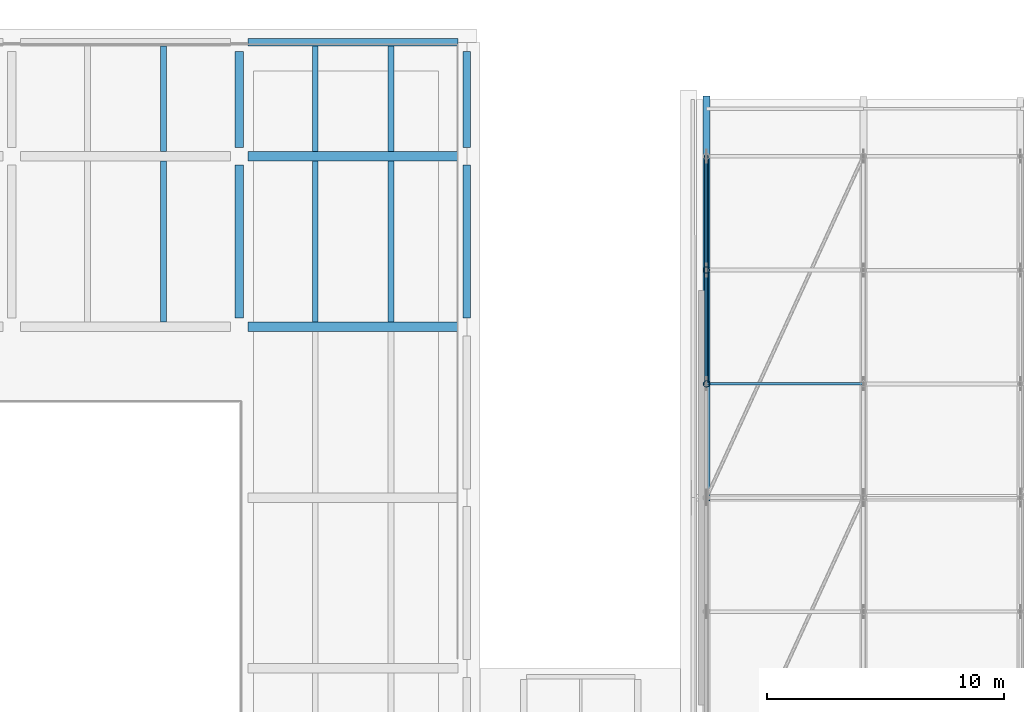
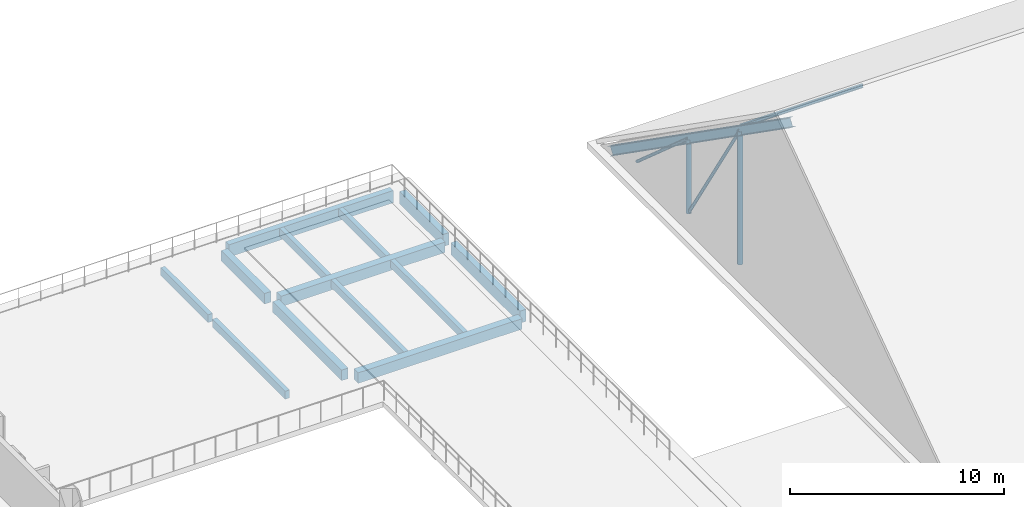
# One storey, part 61 of 134: 13 beams, 6 members.
"""IFC4 building model written with IfcOpenShell, lengths in metres."""

from ifc_helpers import new_model, si_unit, direction, frame, origin, origin_2d, place, context, subcontext, project, spatial, rectangle, hollow_circle, i_section, extrude, material, material_profile, profile_set, type_object, element, save


model = new_model("IFC4")

# Units and contexts
model_context = context("Model", 3, precision=1e-05, world=origin(), true_north=direction((0.0, 1.0)))
body_context = subcontext(model_context, "Body", "Model", "MODEL_VIEW")
ifc_project = project(units=[si_unit("LENGTHUNIT", "METRE"), si_unit("AREAUNIT", "SQUARE_METRE"), si_unit("VOLUMEUNIT", "CUBIC_METRE"), si_unit("PLANEANGLEUNIT", "RADIAN"), si_unit("MASSUNIT", "GRAM", prefix="KILO")], contexts=[model_context])

# Site, building, storey
site_placement = place(None, origin())
site = spatial("IfcSite", under=ifc_project, at=site_placement, CompositionType="ELEMENT")
building_placement = place(site_placement, origin())
building = spatial("IfcBuilding", under=site, at=building_placement, Name="Asteropetra Specialist Clinic", CompositionType="ELEMENT")
storey_placement = place(building_placement, frame((0.0, 0.0, 8.5)))
storey = spatial("IfcBuildingStorey", under=building, at=storey_placement, Name="L02", CompositionType="ELEMENT", Elevation=8.5)

# Beams
ifc_material_1 = material(Name="Concrete C35/45", Category="concrete")
ifc_material_profile_1 = material_profile(ifc_material_1, rectangle(XDim=0.35009765625, YDim=0.60009765625, at=origin_2d()), Name="RCB 350x600")
ifc_profile_set_1 = profile_set([ifc_material_profile_1], Name="Concrete C35/45")
beam_type_1 = type_object("IfcBeamType", Name="BM-RC350x600", PredefinedType="BEAM", material=ifc_profile_set_1)
beam_1_placement = place(storey_placement, frame((67.199951171875, 98.77490234375, -0.610107421875), z_axis=(0.0, 1.0, 0.0), x_axis=(-1.0, 0.0, 0.0)))
element("IfcBeam", 1, at=beam_1_placement, inside=storey, type_object=beam_type_1, Name="Beam BBM09-0967", PredefinedType="BEAM", context=body_context, shape_type="SweptSolid", body=[
    extrude(rectangle(XDim=0.35009765625, YDim=0.60009765625, at=origin_2d()), origin(), (0.0, 0.0, 1.0), 6.4501953125),
])
beam_2_placement = place(storey_placement, frame((67.199951171875, 105.97509765625, -0.610107421875), z_axis=(0.0, 1.0, 0.0), x_axis=(-1.0, 0.0, 0.0)))
element("IfcBeam", 2, at=beam_2_placement, inside=storey, type_object=beam_type_1, Name="Beam BBM09-0977", PredefinedType="BEAM", context=body_context, shape_type="SweptSolid", body=[
    extrude(rectangle(XDim=0.35009765625, YDim=0.60009765625, at=origin_2d()), origin(), (0.0, 0.0, 1.0), 4.0498046875),
])
ifc_material_2 = material(Name="Concrete C35/45", Category="concrete")
ifc_material_profile_2 = material_profile(ifc_material_2, rectangle(XDim=0.39990234375, YDim=0.60009765625, at=origin_2d()), Name="RCB 400x600")
ifc_profile_set_2 = profile_set([ifc_material_profile_2], Name="Concrete C35/45")
beam_type_2 = type_object("IfcBeamType", Name="BM-RC400x600", PredefinedType="BEAM", material=ifc_profile_set_2)
for number, where, z_axis, x_axis, name in (
    (3, (67.574951171875, 98.39990234375, -0.610107421875), (1.0, 0.0, 0.0), (0.0, 1.0, 0.0), "Beam BBM08-0943"),
    (4, (67.574951171875, 105.60009765625, -0.610107421875), (1.0, 0.0, 0.0), (0.0, 1.0, 0.0), "Beam BBM08-0946"),
):
    element("IfcBeam", number, at=place(storey_placement, frame(where, z_axis=z_axis, x_axis=x_axis)), inside=storey, type_object=beam_type_2, Name=name, PredefinedType="BEAM", context=body_context, shape_type="SweptSolid", body=[
        extrude(rectangle(XDim=0.39990234375, YDim=0.60009765625, at=origin_2d()), origin(), (0.0, 0.0, 1.0), 8.85009765625),
    ])
ifc_material_3 = material(Name="Concrete C35/45", Category="concrete")
ifc_material_profile_3 = material_profile(ifc_material_3, rectangle(XDim=0.239990234375, YDim=0.449951171875, at=origin_2d()), Name="RCJ 240x450")
ifc_profile_set_3 = profile_set([ifc_material_profile_3], Name="Concrete C35/45")
beam_type_3 = type_object("IfcBeamType", Name="JST-RC240x450", PredefinedType="JOIST", material=ifc_profile_set_3)
for number, where, z_axis, x_axis, name in (
    (5, (64.0, 98.60009765625, -0.534912109375), (0.0, 1.0, 0.0), (-1.0, 0.0, 0.0), "Joist JJST03-0972"),
    (6, (70.39990234375, 98.60009765625, -0.534912109375), (0.0, 1.0, 0.0), (-1.0, 0.0, 0.0), "Joist JJST03-0973"),
    (7, (73.60009765625, 98.60009765625, -0.534912109375), (0.0, 1.0, 0.0), (-1.0, 0.0, 0.0), "Joist JJST03-0974"),
):
    element("IfcBeam", number, at=place(storey_placement, frame(where, z_axis=z_axis, x_axis=x_axis)), inside=storey, type_object=beam_type_3, Name=name, PredefinedType="JOIST", context=body_context, shape_type="SweptSolid", body=[
        extrude(rectangle(XDim=0.239990234375, YDim=0.449951171875, at=origin_2d()), origin(), (0.0, 0.0, 1.0), 6.7998046875),
    ])
for number, where, z_axis, x_axis, name in (
    (8, (64.0, 105.800048828125, -0.534912109375), (0.0, 1.0, 0.0), (-1.0, 0.0, 0.0), "Joist JJST03-0982"),
    (9, (70.39990234375, 105.800048828125, -0.534912109375), (0.0, 1.0, 0.0), (-1.0, 0.0, 0.0), "Joist JJST03-0983"),
    (10, (73.60009765625, 105.800048828125, -0.534912109375), (0.0, 1.0, 0.0), (-1.0, 0.0, 0.0), "Joist JJST03-0984"),
):
    element("IfcBeam", number, at=place(storey_placement, frame(where, z_axis=z_axis, x_axis=x_axis)), inside=storey, type_object=beam_type_3, Name=name, PredefinedType="JOIST", context=body_context, shape_type="SweptSolid", body=[
        extrude(rectangle(XDim=0.239990234375, YDim=0.449951171875, at=origin_2d()), origin(), (0.0, 0.0, 1.0), 4.43994140625),
    ])
ifc_material_4 = material(Name="Concrete C35/45", Category="concrete")
ifc_material_profile_4 = material_profile(ifc_material_4, rectangle(XDim=0.320068359375, YDim=0.699951171875, at=origin_2d()), Name="RCS 320x700")
ifc_profile_set_4 = profile_set([ifc_material_profile_4], Name="Concrete C35/45")
beam_type_4 = type_object("IfcBeamType", Name="SPN-RC320x700", PredefinedType="SPANDREL", material=ifc_profile_set_4)
beam_3_placement = place(storey_placement, frame((67.574951171875, 110.39990234375, -0.659912109375), z_axis=(1.0, 0.0, 0.0), x_axis=(0.0, 1.0, 0.0)))
element("IfcBeam", 11, at=beam_3_placement, inside=storey, type_object=beam_type_4, Name="Beam BSPN02-0949", PredefinedType="SPANDREL", context=body_context, shape_type="SweptSolid", body=[
    extrude(rectangle(XDim=0.320068359375, YDim=0.699951171875, at=origin_2d()), origin(), (0.0, 0.0, 1.0), 8.85009765625),
])
beam_4_placement = place(storey_placement, frame((76.800048828125, 98.77490234375, -0.659912109375), z_axis=(0.0, 1.0, 0.0), x_axis=(-1.0, 0.0, 0.0)))
element("IfcBeam", 12, at=beam_4_placement, inside=storey, type_object=beam_type_4, Name="Beam BSPN02-0968", PredefinedType="SPANDREL", context=body_context, shape_type="SweptSolid", body=[
    extrude(rectangle(XDim=0.320068359375, YDim=0.699951171875, at=origin_2d()), origin(), (0.0, 0.0, 1.0), 6.4501953125),
])
beam_5_placement = place(storey_placement, frame((76.800048828125, 105.97509765625, -0.659912109375), z_axis=(0.0, 1.0, 0.0), x_axis=(-1.0, 0.0, 0.0)))
element("IfcBeam", 13, at=beam_5_placement, inside=storey, type_object=beam_type_4, Name="Beam BSPN02-0978", PredefinedType="SPANDREL", context=body_context, shape_type="SweptSolid", body=[
    extrude(rectangle(XDim=0.320068359375, YDim=0.699951171875, at=origin_2d()), origin(), (0.0, 0.0, 1.0), 4.0498046875),
])

# Members
ifc_material_5 = material(Name="Steel S355", Category="steel")
ifc_material_profile_5 = material_profile(ifc_material_5, hollow_circle(Radius=0.084228515625, WallThickness=0.008056640625, at=origin_2d()), Name="CHS 168.3x8.0")
ifc_profile_set_5 = profile_set([ifc_material_profile_5], Name="Steel S355")
member_type_1 = type_object("IfcMemberType", Name="TR-BRC-CHS168", PredefinedType="BRACE", material=ifc_profile_set_5)
member_1_placement = place(storey_placement, frame((86.89990234375, 96.0, 8.089599609375), z_axis=(0.0, 0.534274121809, -0.845311281579), x_axis=(-1.0, 0.0, 0.0)))
element("IfcMember", 14, at=member_1_placement, inside=storey, type_object=member_type_1, Name="Truss Web Diagonal TRV1-D01-4", PredefinedType="BRACE", context=body_context, shape_type="SweptSolid", body=[
    extrude(hollow_circle(Radius=0.084228515625, WallThickness=0.008056640625, at=origin_2d()), origin(), (0.0, 0.0, 1.0), 8.984130859375),
])
member_2_placement = place(storey_placement, frame((86.89990234375, 100.800048828125, 4.718017578125), z_axis=(0.0, 0.750802143462, -0.660527169292), x_axis=(-1.0, 0.0, 0.0)))
element("IfcMember", 15, at=member_2_placement, inside=storey, type_object=member_type_1, Name="Truss Web Diagonal TRV1-D01-5", PredefinedType="BRACE", context=body_context, shape_type="SweptSolid", body=[
    extrude(hollow_circle(Radius=0.084228515625, WallThickness=0.008056640625, at=origin_2d()), origin(), (0.0, 0.0, 1.0), 6.393310546875),
])
ifc_material_6 = material(Name="Steel S355", Category="steel")
ifc_material_profile_6 = material_profile(ifc_material_6, i_section(OverallWidth=0.300048828125, OverallDepth=0.489990234375, WebThickness=0.011962890625, FlangeThickness=0.02294921875, FilletRadius=0.027099609375, at=origin_2d()), Name="HEA 500")
ifc_profile_set_6 = profile_set([ifc_material_profile_6], Name="Steel S355")
member_type_2 = type_object("IfcMemberType", Name="TR-CHD-HEA500", PredefinedType="CHORD", material=ifc_profile_set_6)
member_3_placement = place(storey_placement, frame((86.89990234375, 91.199951171875, 11.4609375), z_axis=(0.0, 0.818315202226, -0.574769718936), x_axis=(-1.0, 0.0, 0.0)))
element("IfcMember", 16, at=member_3_placement, inside=storey, type_object=member_type_2, Name="Truss North Top Chord TRV1-TCN01", PredefinedType="CHORD", context=body_context, shape_type="SweptSolid", body=[
    extrude(i_section(OverallWidth=0.300048828125, OverallDepth=0.489990234375, WebThickness=0.011962890625, FlangeThickness=0.02294921875, FilletRadius=0.027099609375, at=origin_2d()), origin(), (0.0, 0.0, 1.0), 20.530029296875),
])
ifc_material_7 = material(Name="Steel S355", Category="steel")
ifc_material_profile_7 = material_profile(ifc_material_7, i_section(OverallWidth=0.10009765625, OverallDepth=0.199951171875, WebThickness=0.005615234375, FlangeThickness=0.008544921875, FilletRadius=0.011962890625, at=origin_2d()), Name="IPE 200")
ifc_profile_set_7 = profile_set([ifc_material_profile_7], Name="Steel S355")
member_type_3 = type_object("IfcMemberType", Name="TR-PUR-IPE200", PredefinedType="PURLIN", material=ifc_profile_set_7)
member_4_placement = place(storey_placement, frame((86.89990234375, 96.0, 8.324462890625), z_axis=(1.0, 0.0, 0.0), x_axis=(0.0, 1.0, 0.0)))
element("IfcMember", 17, at=member_4_placement, inside=storey, type_object=member_type_3, Name="Roof Purlin TRV1-P01-06", PredefinedType="PURLIN", context=body_context, shape_type="SweptSolid", body=[
    extrude(i_section(OverallWidth=0.10009765625, OverallDepth=0.199951171875, WebThickness=0.005615234375, FlangeThickness=0.008544921875, FilletRadius=0.011962890625, at=origin_2d()), origin(), (0.0, 0.0, 1.0), 6.6201171875),
])
ifc_material_8 = material(Name="Steel S355", Category="steel")
ifc_material_profile_8 = material_profile(ifc_material_8, hollow_circle(Radius=0.136474609375, WallThickness=0.012451171875, at=origin_2d()), Name="CHS 273.0x12.5")
ifc_profile_set_8 = profile_set([ifc_material_profile_8], Name="Steel S355")
member_type_4 = type_object("IfcMemberType", Name="TR-STR-CHS273", PredefinedType="STRUT", material=ifc_profile_set_8)
member_5_placement = place(storey_placement, frame((86.89990234375, 96.0, 0.4951171875), z_axis=(0.0, 0.0, 1.0), x_axis=(1.0, 0.0, 0.0)))
element("IfcMember", 18, at=member_5_placement, inside=storey, type_object=member_type_4, Name="Truss Web Strut TRV1-V01-4", PredefinedType="STRUT", context=body_context, shape_type="SweptSolid", body=[
    extrude(hollow_circle(Radius=0.136474609375, WallThickness=0.012451171875, at=origin_2d()), origin(), (0.0, 0.0, 1.0), 7.594482421875),
])
member_6_placement = place(storey_placement, frame((86.89990234375, 100.800048828125, 0.4951171875), z_axis=(0.0, 0.0, 1.0), x_axis=(1.0, 0.0, 0.0)))
element("IfcMember", 19, at=member_6_placement, inside=storey, type_object=member_type_4, Name="Truss Web Strut TRV1-V01-5", PredefinedType="STRUT", context=body_context, shape_type="SweptSolid", body=[
    extrude(hollow_circle(Radius=0.136474609375, WallThickness=0.012451171875, at=origin_2d()), origin(), (0.0, 0.0, 1.0), 4.222900390625),
])

save(model, "model.ifc")
